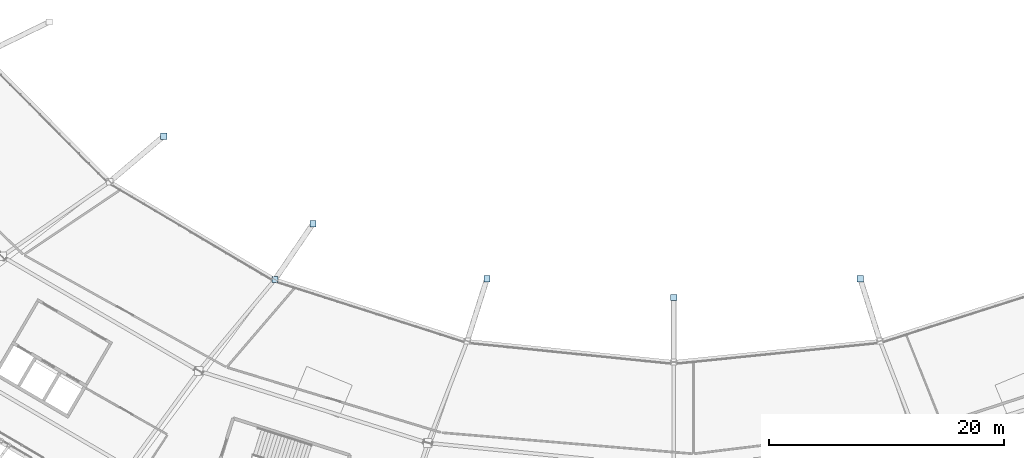
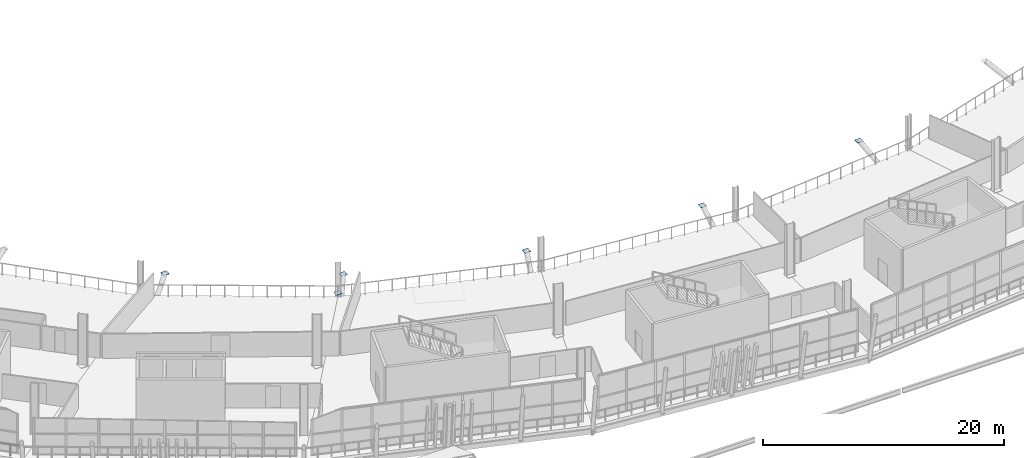
# One storey, part 97 of 168: 6 plates.
"""IFC4 building model written with IfcOpenShell, lengths in metres."""

from ifc_helpers import new_model, si_unit, direction, frame, origin, origin_2d, place, context, subcontext, project, spatial, rectangle, extrude, material, layer, layer_set, type_object, element, save


model = new_model("IFC4")

# Units and contexts
model_context = context("Model", 3, precision=1e-05, world=origin(), true_north=direction((0.0, 1.0)))
body_context = subcontext(model_context, "Body", "Model", "MODEL_VIEW")
ifc_project = project(units=[si_unit("LENGTHUNIT", "METRE"), si_unit("AREAUNIT", "SQUARE_METRE"), si_unit("VOLUMEUNIT", "CUBIC_METRE"), si_unit("PLANEANGLEUNIT", "RADIAN"), si_unit("MASSUNIT", "GRAM", prefix="KILO")], contexts=[model_context])

# Site, building, storey
site_placement = place(None, origin())
site = spatial("IfcSite", under=ifc_project, at=site_placement, CompositionType="ELEMENT")
building_placement = place(site_placement, origin())
building = spatial("IfcBuilding", under=site, at=building_placement, Name="Zlatoyarsky Gate Stadium", CompositionType="ELEMENT")
storey_placement = place(building_placement, frame((0.0, 0.0, 15.60009765625)))
storey = spatial("IfcBuildingStorey", under=building, at=storey_placement, Name="L03", CompositionType="ELEMENT", Elevation=15.60009765625)

# Plates
ifc_material = material(Name="Steel S355", Category="steel")
ifc_layer = layer(ifc_material, 0.02392578125)
ifc_layer_set = layer_set([ifc_layer], Name="Steel S355")
plate_type = type_object("IfcPlateType", Name="STEEL HOLLOW CHORD SPLICE SHEET 24", PredefinedType="SHEET", material=ifc_layer_set)
for number, where, z_axis, x_axis, name in (
    (1, (67.512939453125, 46.76611328125, -1.761962890625), (0.0, 0.0, 1.0), (1.0, 0.0, 0.0), "Node closure plate ND-SP1 NCAP-UTIP-15"),
    (2, (80.25, 39.296875, -1.761962890625), (0.0, 0.0, 1.0), (1.0, 0.0, 0.0), "Node closure plate ND-SP1 NCAP-UTIP-16"),
    (3, (77.0, 34.53369140625, 0.337890625), (0.0, 0.0, 1.0), (1.0, 0.0, 0.0), "Node closure plate ND-SP1 NCAP-UTOPB-16"),
    (4, (95.08251953125, 34.6015625, -1.761962890625), (0.0, 0.0, 1.0), (1.0, 0.0, 0.0), "Node closure plate ND-SP1 NCAP-UTIP-17"),
    (5, (111.0, 33.0, -1.761962890625), (0.0, 0.0, 1.0), (1.0, 0.0, 0.0), "Node closure plate ND-SP1 NCAP-UTIP-18"),
    (6, (126.91748046875, 34.6015625, -1.761962890625), (0.0, 0.0, 1.0), (1.0, 0.0, 0.0), "Node closure plate ND-SP1 NCAP-UTIP-19"),
):
    element("IfcPlate", number, at=place(storey_placement, frame(where, z_axis=z_axis, x_axis=x_axis)), inside=storey, type_object=plate_type, Name=name, PredefinedType="SHEET", context=body_context, shape_type="SweptSolid", body=[
        extrude(rectangle(XDim=0.5400390625, YDim=0.5400390625, at=origin_2d()), origin(), (0.0, 0.0, 1.0), 0.02392578125),
    ])

save(model, "model.ifc")
